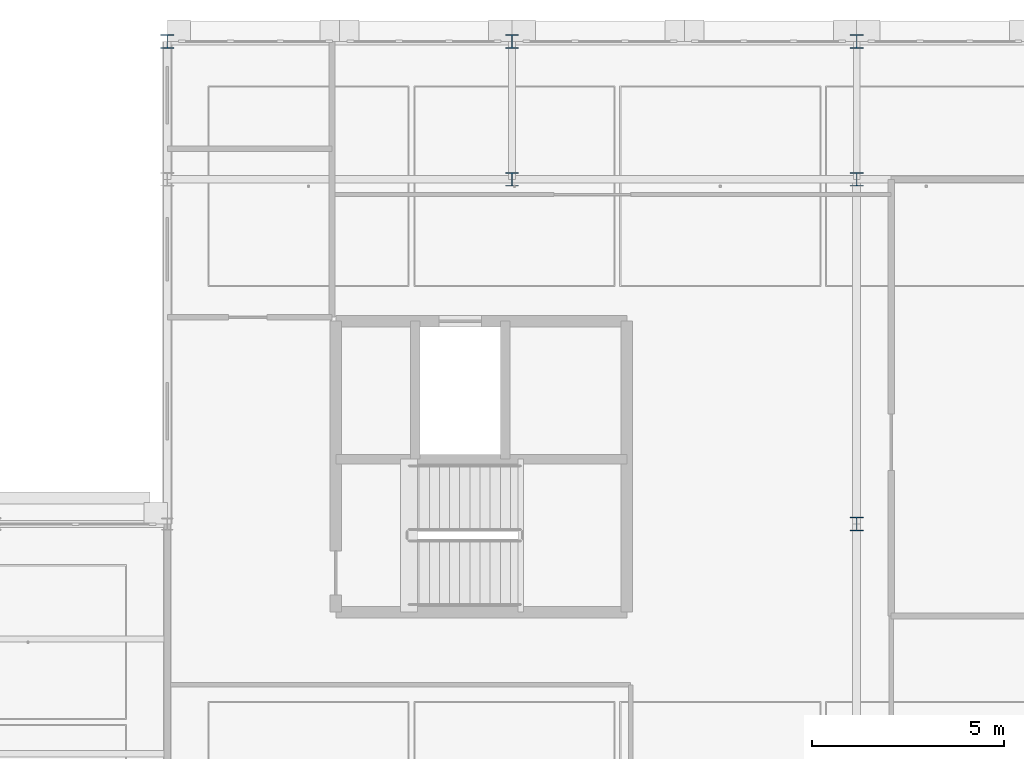
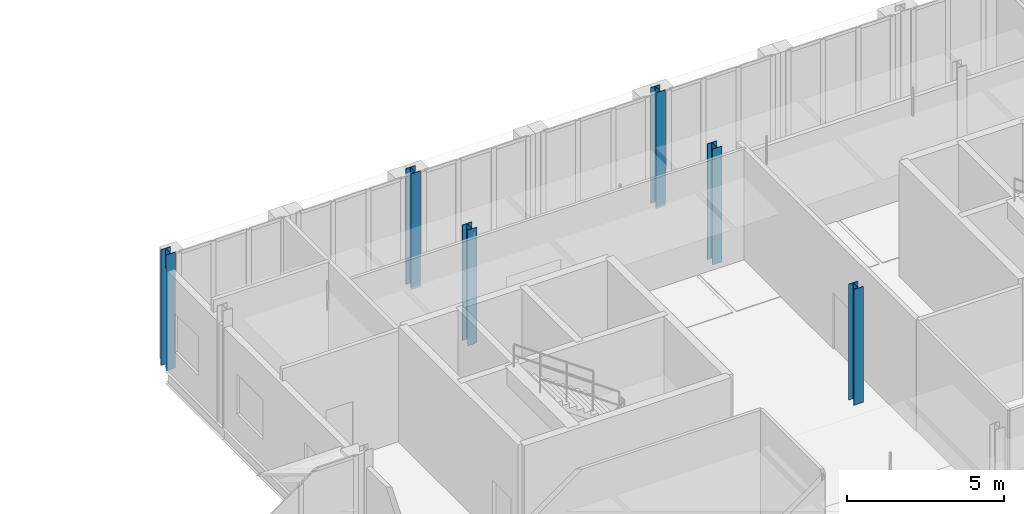
# One storey, part 16 of 140: 6 columns.
"""IFC4 building model written with IfcOpenShell, lengths in metres."""

from ifc_helpers import new_model, si_unit, direction, frame, origin, origin_2d, place, context, subcontext, project, spatial, i_section, extrude, material, material_profile, profile_set, type_object, element, save


model = new_model("IFC4")

# Units and contexts
model_context = context("Model", 3, precision=1e-05, world=origin(), true_north=direction((0.0, 1.0)))
body_context = subcontext(model_context, "Body", "Model", "MODEL_VIEW")
ifc_project = project(units=[si_unit("LENGTHUNIT", "METRE"), si_unit("AREAUNIT", "SQUARE_METRE"), si_unit("VOLUMEUNIT", "CUBIC_METRE"), si_unit("PLANEANGLEUNIT", "RADIAN"), si_unit("MASSUNIT", "GRAM", prefix="KILO"), si_unit("THERMODYNAMICTEMPERATUREUNIT", "KELVIN"), si_unit("POWERUNIT", "WATT")], contexts=[model_context])

# Site, building, storey
site_placement = place(None, origin())
site = spatial("IfcSite", under=ifc_project, at=site_placement, CompositionType="ELEMENT")
building_placement = place(site_placement, origin())
building = spatial("IfcBuilding", under=site, at=building_placement, Name="Tallowbark Science Centre", CompositionType="ELEMENT")
storey_placement = place(building_placement, frame((0.0, 0.0, 9.89990234375)))
storey = spatial("IfcBuildingStorey", under=building, at=storey_placement, Name="L02", CompositionType="ELEMENT", Elevation=9.89990234375)

# Columns
ifc_material = material(Name="Structural Steel Grade 300PLUS (300 MPa)", Category="steel")
ifc_material_profile = material_profile(ifc_material, i_section(OverallWidth=0.35009765625, OverallDepth=0.35888671875, WebThickness=0.01611328125, FlangeThickness=0.02392578125, FilletRadius=0.013916015625, at=origin_2d()), Name="350WC197")
ifc_profile_set = profile_set([ifc_material_profile], Name="Structural Steel Grade 300PLUS (300 MPa)")
column_type = type_object("IfcColumnType", Name="COL-WC350", PredefinedType="COLUMN", material=ifc_profile_set)
for number, where, z_axis, x_axis, name in (
    (1, (112.5, 111.60009765625, 0.0), (0.0, 0.0, 1.0), (1.0, 0.0, 0.0), "Column OBS-0_5 L02"),
    (2, (121.5, 108.0, 0.0), (0.0, 0.0, 1.0), (1.0, 0.0, 0.0), "Column OBS-1_4 L02"),
    (3, (121.5, 111.60009765625, 0.0), (0.0, 0.0, 1.0), (1.0, 0.0, 0.0), "Column OBS-1_5 L02"),
    (4, (130.5, 99.0, 0.0), (0.0, 0.0, 1.0), (1.0, 0.0, 0.0), "Column OBS-2_3 L02"),
    (5, (130.5, 108.0, 0.0), (0.0, 0.0, 1.0), (1.0, 0.0, 0.0), "Column OBS-2_4 L02"),
    (6, (130.5, 111.60009765625, 0.0), (0.0, 0.0, 1.0), (1.0, 0.0, 0.0), "Column OBS-2_5 L02"),
):
    element("IfcColumn", number, at=place(storey_placement, frame(where, z_axis=z_axis, x_axis=x_axis)), inside=storey, type_object=column_type, Name=name, PredefinedType="COLUMN", context=body_context, shape_type="SweptSolid", body=[
        extrude(i_section(OverallWidth=0.35009765625, OverallDepth=0.35888671875, WebThickness=0.01611328125, FlangeThickness=0.02392578125, FilletRadius=0.013916015625, at=origin_2d()), origin(), (0.0, 0.0, 1.0), 4.5),
    ])

save(model, "model.ifc")
